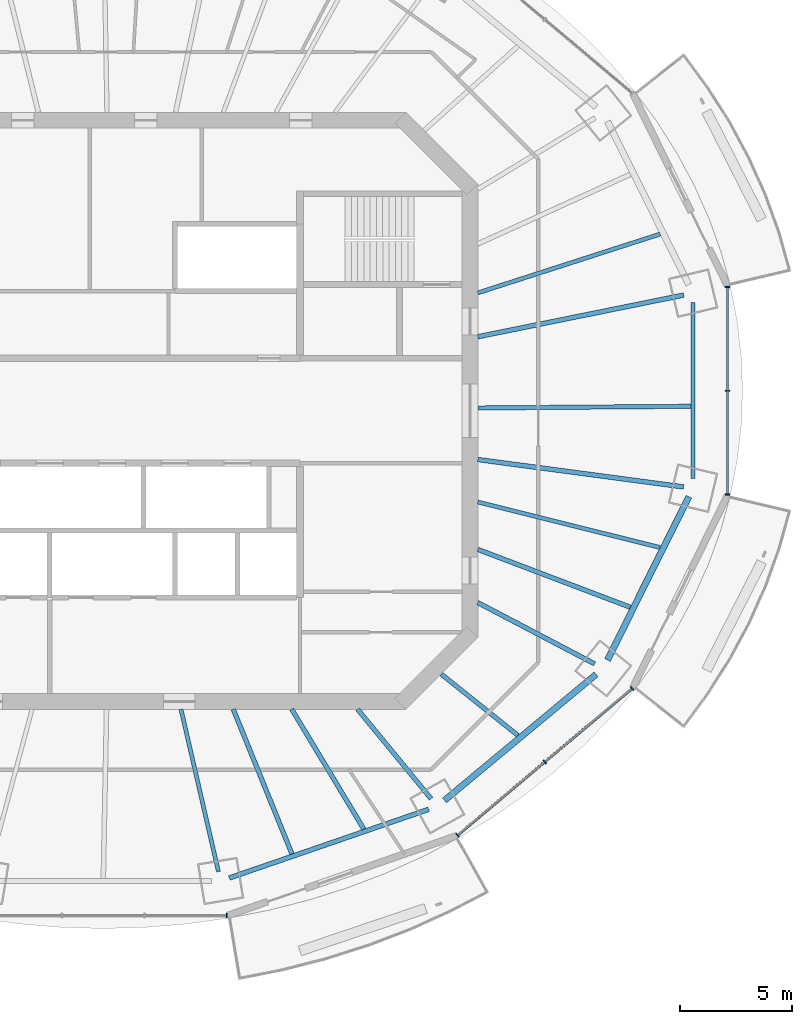
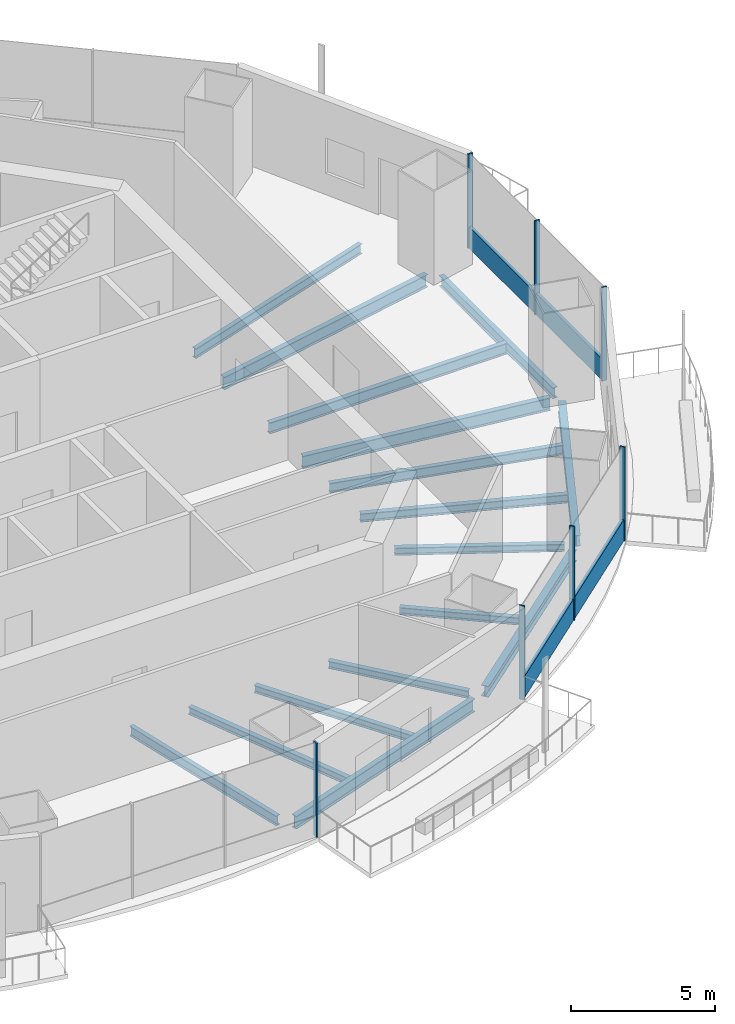
# One storey, part 4 of 16: 16 beams, 9 members, 3 elements without a shape of their own.
"""IFC4 building model written with IfcOpenShell, lengths in metres."""

import ifcopenshell
import ifcopenshell.guid

model = None  # the IFC model being written
_history = None  # IfcOwnerHistory: only IFC2X3 demands one
_inside = {}  # id of a spatial element -> (the spatial element, [elements in it])
_under = {}  # id of a project, library or spatial element -> (it, [spatial elements below it])
_declared = {}  # id of a project -> (the project, [libraries it declares])
_typed = {}  # id of a type object -> (the type object, [elements of that type])
_made_of = {}  # id of a material, layer set ... -> (it, [elements and type objects made of it])


def new_model(schema):
    """Start an empty IFC model of exactly this schema.

    Asked for "IFC4X3", IfcOpenShell would pick the latest addendum, in which some entities
    have other attributes; the version numbers below select the first issue.
    IFC2X3 requires an IfcOwnerHistory on every rooted entity: one is made here for all.
    """
    global model, _history
    if schema == "IFC4X3":
        model = ifcopenshell.file(schema_version=(4, 3, 0, 0))
    else:
        model = ifcopenshell.file(schema=schema)
    _inside.clear()
    _under.clear()
    _declared.clear()
    _typed.clear()
    _made_of.clear()
    _history = None
    if model.schema == "IFC2X3":
        org = make("IfcOrganization", Name="unknown")
        user = make(
            "IfcPersonAndOrganization",
            ThePerson=make("IfcPerson", FamilyName="unknown"),
            TheOrganization=org,
        )
        app = make(
            "IfcApplication",
            ApplicationDeveloper=org,
            Version="unknown",
            ApplicationFullName="unknown",
            ApplicationIdentifier="unknown",
        )
        _history = make(
            "IfcOwnerHistory",
            OwningUser=user,
            OwningApplication=app,
            ChangeAction="ADDED",
            CreationDate=0,
        )
    return model


def make(cls, **values):
    """One entity of the class cls with the attributes given. An attribute that is None is left unset."""
    return model.create_entity(
        cls, **{name: value for name, value in values.items() if value is not None}
    )


def rooted(cls, **values):
    """An entity with a GlobalId (a new one), such as an element, a storey or a relation."""
    return make(cls, GlobalId=ifcopenshell.guid.new(), OwnerHistory=_history, **values)


def si_unit(unit_type, name, prefix=None):
    """IfcSIUnit, for example si_unit("LENGTHUNIT", "METRE", prefix="MILLI")."""
    return make("IfcSIUnit", UnitType=unit_type, Prefix=prefix, Name=name)


def assignment(units):
    """IfcUnitAssignment: the units of a project."""
    return None if units is None else make("IfcUnitAssignment", Units=units)


def point(xyz):
    """IfcCartesianPoint."""
    return None if xyz is None else make("IfcCartesianPoint", Coordinates=xyz)


def direction(xyz):
    """IfcDirection."""
    return None if xyz is None else make("IfcDirection", DirectionRatios=xyz)


def frame(location, z_axis=None, x_axis=None):
    """IfcAxis2Placement3D, a coordinate frame: its origin and axes. An axis left out is left unset."""
    return make(
        "IfcAxis2Placement3D",
        Location=point(location),
        Axis=direction(z_axis),
        RefDirection=direction(x_axis),
    )


def frame_2d(location, x_axis=None):
    """IfcAxis2Placement2D, a coordinate frame in the plane: its origin and x axis."""
    return make(
        "IfcAxis2Placement2D", Location=point(location), RefDirection=direction(x_axis)
    )


def origin():
    """The frame at (0, 0, 0) with its axes left unset."""
    return frame((0.0, 0.0, 0.0))


def origin_2d():
    """The frame at (0, 0) in the plane with its x axis left unset."""
    return frame_2d((0.0, 0.0))


def place(relative_to, where):
    """IfcLocalPlacement: puts the frame where relative to a parent placement (None: the world)."""
    return make(
        "IfcLocalPlacement", PlacementRelTo=relative_to, RelativePlacement=where
    )


def context(
    kind, dimensions, precision=None, world=None, true_north=None, identifier=None
):
    """IfcGeometricRepresentationContext, for example the 3D "Model" context."""
    return make(
        "IfcGeometricRepresentationContext",
        ContextIdentifier=identifier,
        ContextType=kind,
        CoordinateSpaceDimension=dimensions,
        Precision=precision,
        WorldCoordinateSystem=world,
        TrueNorth=true_north,
    )


def subcontext(parent, identifier, kind, view, scale=None):
    """IfcGeometricRepresentationSubContext, for example "Body" below "Model"."""
    return make(
        "IfcGeometricRepresentationSubContext",
        ContextIdentifier=identifier,
        ContextType=kind,
        ParentContext=parent,
        TargetScale=scale,
        TargetView=view,
    )


def project(units=None, contexts=None):
    """IfcProject with its units and contexts."""
    return rooted(
        "IfcProject",
        Name="project",
        RepresentationContexts=contexts,
        UnitsInContext=assignment(units),
    )


def spatial(cls, under=None, at=None, **own):
    """A site, building, storey or space (cls), placed at a placement, below another one or the project."""
    s = rooted(cls, ObjectPlacement=at, **own)
    if under is not None:
        _under.setdefault(under.id(), (under, []))[1].append(s)
    return s


def profile(cls, at=None, kind="AREA", **sizes):
    """A parametric profile (cls). Its sizes go by their IFC names, for example OverallWidth=200.0."""
    return make(cls, ProfileType=kind, Position=at, **sizes)


def rectangle(**sizes):
    """IfcRectangleProfileDef."""
    return profile("IfcRectangleProfileDef", **sizes)


def i_section(**sizes):
    """IfcIShapeProfileDef."""
    return profile("IfcIShapeProfileDef", **sizes)


def extrude(swept, where, along, depth):
    """IfcExtrudedAreaSolid: the profile swept, set in the frame where, extruded along a direction by depth."""
    return make(
        "IfcExtrudedAreaSolid",
        SweptArea=swept,
        Position=where,
        ExtrudedDirection=direction(along),
        Depth=depth,
    )


def shape(context_of_items, identifier, shape_type, items):
    """IfcShapeRepresentation: the items that make up one representation, for example the "Body"."""
    return make(
        "IfcShapeRepresentation",
        ContextOfItems=context_of_items,
        RepresentationIdentifier=identifier,
        RepresentationType=shape_type,
        Items=items,
    )


def material(Name=None, Category=None):
    """IfcMaterial."""
    return make("IfcMaterial", Name=Name, Category=Category)


def material_profile(
    of_material, cross_section, Name=None, Category=None, Priority=None
):
    """IfcMaterialProfile: a cross section and its material."""
    return make(
        "IfcMaterialProfile",
        Name=Name,
        Material=of_material,
        Profile=cross_section,
        Priority=Priority,
        Category=Category,
    )


def profile_set(profiles, Name=None, composite=None):
    """IfcMaterialProfileSet."""
    return make(
        "IfcMaterialProfileSet",
        Name=Name,
        MaterialProfiles=profiles,
        CompositeProfile=composite,
    )


def made_of(thing, what):
    """Note that an element or type object is made of a material, layer set ...; save() writes the relation."""
    if what is not None:
        _made_of.setdefault(what.id(), (what, []))[1].append(thing)
    return thing


def type_object(cls, material=None, **own):
    """A type object (cls), such as IfcWallType, which elements share."""
    return made_of(rooted(cls, **own), material)


def element(
    cls,
    number,
    at=None,
    inside=None,
    cuts=None,
    type_object=None,
    material=None,
    context=None,
    identifier="Body",
    shape_type=None,
    held_by="IfcProductDefinitionShape",
    body=None,
    shapes=None,
    **own,
):
    """One element of the class cls, such as IfcWall. Its Tag is "e" and its number.

    at: its placement. inside: the storey or other place that contains it. cuts: it is an
    opening in that element (IfcRelVoidsElement). A single representation is given by context,
    identifier, shape_type and body (its items); several are given by shapes. held_by: the class
    of the entity that holds the representations. save() writes the other relations.
    """
    e = rooted(cls, Tag="e%d" % number, ObjectPlacement=at, **own)
    if body is not None:
        shapes = [shape(context, identifier, shape_type, body)]
    if shapes is not None:
        e.Representation = make(held_by, Representations=shapes)
    if inside is not None:
        _inside.setdefault(inside.id(), (inside, []))[1].append(e)
    if cuts is not None:
        rooted(
            "IfcRelVoidsElement", RelatingBuildingElement=cuts, RelatedOpeningElement=e
        )
    if type_object is not None:
        _typed.setdefault(type_object.id(), (type_object, []))[1].append(e)
    return made_of(e, material)


def aggregate(whole, parts):
    """IfcRelAggregates: a whole, such as a stair, and the parts it consists of."""
    return rooted("IfcRelAggregates", RelatingObject=whole, RelatedObjects=parts)


def save(model, path):
    """Write the relations noted so far, then the file.

    IfcRelAggregates (storeys below a building ...), IfcRelContainedInSpatialStructure (elements
    in a storey), IfcRelDefinesByType, IfcRelAssociatesMaterial and IfcRelDeclares: one each for
    every whole, place, type object, material and project.
    """
    for whole, parts in _under.values():
        aggregate(whole, parts)
    for where, things in _inside.values():
        rooted(
            "IfcRelContainedInSpatialStructure",
            RelatedElements=things,
            RelatingStructure=where,
        )
    for kind, things in _typed.values():
        rooted("IfcRelDefinesByType", RelatedObjects=things, RelatingType=kind)
    for what, things in _made_of.values():
        rooted("IfcRelAssociatesMaterial", RelatedObjects=things, RelatingMaterial=what)
    for by, libraries in _declared.values():
        rooted("IfcRelDeclares", RelatingContext=by, RelatedDefinitions=libraries)
    model.write(path)


model = new_model("IFC4")

# Units and contexts
model_context = context("Model", 3, precision=1e-05, world=origin(), true_north=direction((0.0, 1.0)))
body_context = subcontext(model_context, "Body", "Model", "MODEL_VIEW")
ifc_project = project(units=[si_unit("LENGTHUNIT", "METRE"), si_unit("AREAUNIT", "SQUARE_METRE"), si_unit("VOLUMEUNIT", "CUBIC_METRE"), si_unit("PLANEANGLEUNIT", "RADIAN"), si_unit("MASSUNIT", "GRAM", prefix="KILO")], contexts=[model_context])

# Site, building, storey
site_placement = place(None, origin())
site = spatial("IfcSite", under=ifc_project, at=site_placement, CompositionType="ELEMENT")
building_placement = place(site_placement, origin())
building = spatial("IfcBuilding", under=site, at=building_placement, Name="Marenthal Gate Tower", CompositionType="ELEMENT")
storey_placement = place(building_placement, frame((0.0, 0.0, 305.25)))
storey = spatial("IfcBuildingStorey", under=building, at=storey_placement, Name="L68", CompositionType="ELEMENT", Elevation=305.25)

# Curtain wall, member
ifc_material_1 = material(Name="Aluminium and glass", Category="aluminium")
curtain_wall_type = type_object("IfcCurtainWallType", Name="Curtain wall typical high", PredefinedType="NOTDEFINED", material=ifc_material_1)
curtain_wall_1_placement = place(storey_placement, origin())
curtain_wall_1 = element("IfcCurtainWall", 1, at=curtain_wall_1_placement, inside=storey, type_object=curtain_wall_type, Name="Curtain wall L68 bay 12", PredefinedType="NOTDEFINED")
ifc_material_2 = material(Name="Aluminium", Category="aluminium")
ifc_material_profile_1 = material_profile(ifc_material_2, rectangle(XDim=0.199951171875, YDim=0.06005859375, at=origin_2d()), Name="60x200 aluminium mullion")
ifc_profile_set_1 = profile_set([ifc_material_profile_1], Name="Aluminium")
member_type_1 = type_object("IfcMemberType", Name="Mullion 60x200 typical high", PredefinedType="MULLION", material=ifc_profile_set_1)
member_1_placement = place(storey_placement, frame((5.12548828125, -22.577880859375, 0.0), z_axis=(0.0, 0.0, 1.0), x_axis=(0.0, 1.0, 0.0)))
member_1 = element("IfcMember", 2, at=member_1_placement, type_object=member_type_1, Name="Mullion L68 bay 12.4", PredefinedType="MULLION", context=body_context, shape_type="SweptSolid", body=[
    extrude(rectangle(XDim=0.199951171875, YDim=0.06005859375, at=origin_2d()), origin(), (0.0, 0.0, 1.0), 3.969970703125),
])
aggregate(curtain_wall_1, [member_1])

# Curtain wall, members
curtain_wall_2_placement = place(storey_placement, origin())
curtain_wall_2 = element("IfcCurtainWall", 3, at=curtain_wall_2_placement, inside=storey, type_object=curtain_wall_type, Name="Curtain wall L68 bay 14", PredefinedType="NOTDEFINED")
member_2_placement = place(storey_placement, frame((15.443359375, -18.984375, 0.0), z_axis=(0.0, 0.0, 1.0), x_axis=(-0.643479945432, 0.765462970905, 0.0)))
member_2 = element("IfcMember", 4, at=member_2_placement, type_object=member_type_1, Name="Mullion L68 bay 14.1", PredefinedType="MULLION", context=body_context, shape_type="SweptSolid", body=[
    extrude(rectangle(XDim=0.199951171875, YDim=0.06005859375, at=origin_2d()), origin(), (0.0, 0.0, 1.0), 3.969970703125),
])
member_3_placement = place(storey_placement, frame((19.3486328125, -15.701416015625, 0.0), z_axis=(0.0, 0.0, 1.0), x_axis=(-0.643479945432, 0.765462970905, 0.0)))
member_3 = element("IfcMember", 5, at=member_3_placement, type_object=member_type_1, Name="Mullion L68 bay 14.2", PredefinedType="MULLION", context=body_context, shape_type="SweptSolid", body=[
    extrude(rectangle(XDim=0.199951171875, YDim=0.06005859375, at=origin_2d()), origin(), (0.0, 0.0, 1.0), 3.969970703125),
])
member_4_placement = place(storey_placement, frame((23.25390625, -12.41845703125, 0.0), z_axis=(0.0, 0.0, 1.0), x_axis=(-0.643479945432, 0.765462970905, 0.0)))
member_4 = element("IfcMember", 6, at=member_4_placement, type_object=member_type_1, Name="Mullion L68 bay 14.3", PredefinedType="MULLION", context=body_context, shape_type="SweptSolid", body=[
    extrude(rectangle(XDim=0.199951171875, YDim=0.06005859375, at=origin_2d()), origin(), (0.0, 0.0, 1.0), 3.969970703125),
])

curtain_wall_3_placement = place(storey_placement, origin())
curtain_wall_3 = element("IfcCurtainWall", 7, at=curtain_wall_3_placement, inside=storey, type_object=curtain_wall_type, Name="Curtain wall L68 bay 16", PredefinedType="NOTDEFINED")
member_5_placement = place(storey_placement, frame((27.52880859375, -3.739990234375, 0.0), z_axis=(0.0, 0.0, 1.0), x_axis=(-1.0, 0.0, 0.0)))
member_5 = element("IfcMember", 8, at=member_5_placement, type_object=member_type_1, Name="Mullion L68 bay 16.1", PredefinedType="MULLION", context=body_context, shape_type="SweptSolid", body=[
    extrude(rectangle(XDim=0.199951171875, YDim=0.06005859375, at=origin_2d()), origin(), (0.0, 0.0, 1.0), 3.969970703125),
])
member_6_placement = place(storey_placement, frame((27.52880859375, 0.89990234375, 0.0), z_axis=(0.0, 0.0, 1.0), x_axis=(-1.0, 0.0, 0.0)))
member_6 = element("IfcMember", 9, at=member_6_placement, type_object=member_type_1, Name="Mullion L68 bay 16.2", PredefinedType="MULLION", context=body_context, shape_type="SweptSolid", body=[
    extrude(rectangle(XDim=0.199951171875, YDim=0.06005859375, at=origin_2d()), origin(), (0.0, 0.0, 1.0), 3.969970703125),
])
member_7_placement = place(storey_placement, frame((27.52880859375, 5.5400390625, 0.0), z_axis=(0.0, 0.0, 1.0), x_axis=(-1.0, 0.0, 0.0)))
member_7 = element("IfcMember", 10, at=member_7_placement, type_object=member_type_1, Name="Mullion L68 bay 16.3", PredefinedType="MULLION", context=body_context, shape_type="SweptSolid", body=[
    extrude(rectangle(XDim=0.199951171875, YDim=0.06005859375, at=origin_2d()), origin(), (0.0, 0.0, 1.0), 3.969970703125),
])

# Member
ifc_material_3 = material(Name="Aluminium", Category="aluminium")
ifc_material_profile_2 = material_profile(ifc_material_3, rectangle(XDim=0.1201171875, YDim=0.89990234375, at=origin_2d()), Name="120x900 aluminium transom")
ifc_profile_set_2 = profile_set([ifc_material_profile_2], Name="Aluminium")
member_type_2 = type_object("IfcMemberType", Name="Transom 120x900 typical high", PredefinedType="USERDEFINED", material=ifc_profile_set_2)
member_8_placement = place(storey_placement, frame((15.46630859375, -18.965087890625, 0.449951171875), z_axis=(0.765460155219, 0.643483294866, 0.0), x_axis=(-0.643483294866, 0.765460155219, 0.0)))
member_8 = element("IfcMember", 11, at=member_8_placement, type_object=member_type_2, Name="Transom L68 bay 14", ObjectType="TRANSOM", PredefinedType="USERDEFINED", context=body_context, shape_type="SweptSolid", body=[
    extrude(rectangle(XDim=0.1201171875, YDim=0.89990234375, at=origin_2d()), origin(), (0.0, 0.0, 1.0), 10.143798828125),
])

aggregate(curtain_wall_2, [member_2, member_3, member_4, member_8])

member_9_placement = place(storey_placement, frame((27.52880859375, -3.710205078125, 0.449951171875), z_axis=(0.0, 1.0, 0.0), x_axis=(-1.0, 0.0, 0.0)))
member_9 = element("IfcMember", 12, at=member_9_placement, type_object=member_type_2, Name="Transom L68 bay 16", ObjectType="TRANSOM", PredefinedType="USERDEFINED", context=body_context, shape_type="SweptSolid", body=[
    extrude(rectangle(XDim=0.1201171875, YDim=0.89990234375, at=origin_2d()), origin(), (0.0, 0.0, 1.0), 9.22021484375),
])

aggregate(curtain_wall_3, [member_5, member_6, member_7, member_9])

# Beams
ifc_material_4 = material(Name="Steel S355", Category="steel")
ifc_material_profile_3 = material_profile(ifc_material_4, i_section(OverallWidth=0.202880859375, OverallDepth=0.302001953125, WebThickness=0.007568359375, FlangeThickness=0.01318359375, FilletRadius=0.0126953125, at=origin_2d()), Name="W310X60")
ifc_profile_set_3 = profile_set([ifc_material_profile_3], Name="Steel S355")
beam_type_1 = type_object("IfcBeamType", Name="W310X60 beam", PredefinedType="BEAM", material=ifc_profile_set_3)
beam_1_placement = place(storey_placement, frame((18.1416015625, -14.5166015625, -0.3310546875), z_axis=(-0.780798186139, 0.624783316456, 0.0), x_axis=(-0.624783316456, -0.780798186139, 0.0)))
element("IfcBeam", 13, at=beam_1_placement, inside=storey, type_object=beam_type_1, Name="BM-L68-37", PredefinedType="BEAM", context=body_context, shape_type="SweptSolid", body=[
    extrude(i_section(OverallWidth=0.202880859375, OverallDepth=0.302001953125, WebThickness=0.007568359375, FlangeThickness=0.01318359375, FilletRadius=0.0126953125, at=origin_2d()), origin(), (0.0, 0.0, 1.0), 4.384765625),
])
ifc_material_5 = material(Name="Steel S355", Category="steel")
ifc_material_profile_4 = material_profile(ifc_material_5, i_section(OverallWidth=0.205078125, OverallDepth=0.31005859375, WebThickness=0.009521484375, FlangeThickness=0.016357421875, FilletRadius=0.0126953125, at=origin_2d()), Name="W310X74")
ifc_profile_set_4 = profile_set([ifc_material_profile_4], Name="Steel S355")
beam_type_2 = type_object("IfcBeamType", Name="W310X74 beam", PredefinedType="BEAM", material=ifc_profile_set_4)
beam_2_placement = place(storey_placement, frame((14.262939453125, -17.349853515625, -0.3349609375), z_axis=(-0.635036003513, 0.772482539765, 0.0), x_axis=(-0.772482539765, -0.635036003513, 0.0)))
element("IfcBeam", 14, at=beam_2_placement, inside=storey, type_object=beam_type_2, Name="BM-L68-14", PredefinedType="BEAM", context=body_context, shape_type="SweptSolid", body=[
    extrude(i_section(OverallWidth=0.205078125, OverallDepth=0.31005859375, WebThickness=0.009521484375, FlangeThickness=0.016357421875, FilletRadius=0.0126953125, at=origin_2d()), origin(), (0.0, 0.0, 1.0), 5.177734375),
])
beam_3_placement = place(storey_placement, frame((21.5712890625, -11.31591796875, -0.3349609375), z_axis=(-0.885545270572, 0.464553090365, 0.0), x_axis=(-0.464553090365, -0.885545270572, 0.0)))
element("IfcBeam", 15, at=beam_3_placement, inside=storey, type_object=beam_type_2, Name="BM-L68-15", PredefinedType="BEAM", context=body_context, shape_type="SweptSolid", body=[
    extrude(i_section(OverallWidth=0.205078125, OverallDepth=0.31005859375, WebThickness=0.009521484375, FlangeThickness=0.016357421875, FilletRadius=0.0126953125, at=origin_2d()), origin(), (0.0, 0.0, 1.0), 5.89599609375),
])
beam_4_placement = place(storey_placement, frame((8.0390625, -19.817138671875, -0.3349609375), z_axis=(-0.375921906539, 0.926651347694, 0.0), x_axis=(-0.926651347694, -0.375921906539, 0.0)))
element("IfcBeam", 16, at=beam_4_placement, inside=storey, type_object=beam_type_2, Name="BM-L68-35", PredefinedType="BEAM", context=body_context, shape_type="SweptSolid", body=[
    extrude(i_section(OverallWidth=0.205078125, OverallDepth=0.31005859375, WebThickness=0.009521484375, FlangeThickness=0.016357421875, FilletRadius=0.0126953125, at=origin_2d()), origin(), (0.0, 0.0, 1.0), 6.97900390625),
])
beam_5_placement = place(storey_placement, frame((11.2548828125, -18.7099609375, -0.3349609375), z_axis=(-0.515459756006, 0.856913787926, 0.0), x_axis=(-0.856913787926, -0.515459756006, 0.0)))
element("IfcBeam", 17, at=beam_5_placement, inside=storey, type_object=beam_type_2, Name="BM-L68-36", PredefinedType="BEAM", context=body_context, shape_type="SweptSolid", body=[
    extrude(i_section(OverallWidth=0.205078125, OverallDepth=0.31005859375, WebThickness=0.009521484375, FlangeThickness=0.016357421875, FilletRadius=0.0126953125, at=origin_2d()), origin(), (0.0, 0.0, 1.0), 6.2548828125),
])
ifc_material_6 = material(Name="Steel S355", Category="steel")
ifc_material_profile_5 = material_profile(ifc_material_6, i_section(OverallWidth=0.205078125, OverallDepth=0.35302734375, WebThickness=0.009521484375, FlangeThickness=0.016845703125, FilletRadius=0.014892578125, at=origin_2d()), Name="W360X79")
ifc_profile_set_5 = profile_set([ifc_material_profile_5], Name="Steel S355")
beam_type_3 = type_object("IfcBeamType", Name="W360X79 beam", PredefinedType="BEAM", material=ifc_profile_set_5)
beam_6_placement = place(storey_placement, frame((23.170654296875, -8.78515625, -0.3564453125), z_axis=(-0.935050712882, 0.354513983278, 0.0), x_axis=(-0.354513983278, -0.935050712882, 0.0)))
element("IfcBeam", 18, at=beam_6_placement, inside=storey, type_object=beam_type_3, Name="BM-L68-38", PredefinedType="BEAM", context=body_context, shape_type="SweptSolid", body=[
    extrude(i_section(OverallWidth=0.205078125, OverallDepth=0.35302734375, WebThickness=0.009521484375, FlangeThickness=0.016845703125, FilletRadius=0.014892578125, at=origin_2d()), origin(), (0.0, 0.0, 1.0), 7.29443359375),
])
ifc_material_7 = material(Name="Steel S355", Category="steel")
ifc_material_profile_6 = material_profile(ifc_material_7, i_section(OverallWidth=0.180908203125, OverallDepth=0.4169921875, WebThickness=0.010986328125, FlangeThickness=0.018310546875, FilletRadius=0.01025390625, at=origin_2d()), Name="W410X85")
ifc_profile_set_6 = profile_set([ifc_material_profile_6], Name="Steel S355")
beam_type_4 = type_object("IfcBeamType", Name="W410X85 beam", PredefinedType="BEAM", material=ifc_profile_set_6)
beam_7_placement = place(storey_placement, frame((4.751220703125, -20.612548828125, -0.388427734375), z_axis=(-0.224620257537, 0.974446376105, 0.0), x_axis=(-0.974446376105, -0.224620257537, 0.0)))
element("IfcBeam", 19, at=beam_7_placement, inside=storey, type_object=beam_type_4, Name="BM-L68-13", PredefinedType="BEAM", context=body_context, shape_type="SweptSolid", body=[
    extrude(i_section(OverallWidth=0.180908203125, OverallDepth=0.4169921875, WebThickness=0.010986328125, FlangeThickness=0.018310546875, FilletRadius=0.01025390625, at=origin_2d()), origin(), (0.0, 0.0, 1.0), 7.452880859375),
])
beam_8_placement = place(storey_placement, frame((24.506103515625, 7.905029296875, -0.388427734375), z_axis=(-0.951704053105, -0.307016929994, 0.0), x_axis=(0.307016929994, -0.951704053105, 0.0)))
element("IfcBeam", 20, at=beam_8_placement, inside=storey, type_object=beam_type_4, Name="BM-L68-17", PredefinedType="BEAM", context=body_context, shape_type="SweptSolid", body=[
    extrude(i_section(OverallWidth=0.180908203125, OverallDepth=0.4169921875, WebThickness=0.010986328125, FlangeThickness=0.018310546875, FilletRadius=0.01025390625, at=origin_2d()), origin(), (0.0, 0.0, 1.0), 8.56982421875),
])
beam_9_placement = place(storey_placement, frame((24.501953125, -6.11376953125, -0.388427734375), z_axis=(-0.97024838396, 0.242111696171, 0.0), x_axis=(-0.242111696171, -0.97024838396, 0.0)))
element("IfcBeam", 21, at=beam_9_placement, inside=storey, type_object=beam_type_4, Name="BM-L68-39", PredefinedType="BEAM", context=body_context, shape_type="SweptSolid", body=[
    extrude(i_section(OverallWidth=0.180908203125, OverallDepth=0.4169921875, WebThickness=0.010986328125, FlangeThickness=0.018310546875, FilletRadius=0.01025390625, at=origin_2d()), origin(), (0.0, 0.0, 1.0), 8.40185546875),
])
ifc_material_8 = material(Name="Steel S355", Category="steel")
ifc_material_profile_7 = material_profile(ifc_material_8, i_section(OverallWidth=0.279052734375, OverallDepth=0.4619140625, WebThickness=0.0107421875, FlangeThickness=0.017333984375, FilletRadius=0.010009765625, at=origin_2d()), Name="W460X113")
ifc_profile_set_7 = profile_set([ifc_material_profile_7], Name="Steel S355")
beam_type_5 = type_object("IfcBeamType", Name="W460X113 beam", PredefinedType="BEAM", material=ifc_profile_set_7)
beam_10_placement = place(storey_placement, frame((14.8623046875, -17.424072265625, -0.410888671875), z_axis=(0.769010658492, 0.639235955752, 0.0), x_axis=(-0.639235955752, 0.769010658492, 0.0)))
element("IfcBeam", 22, at=beam_10_placement, inside=storey, type_object=beam_type_5, Name="BM-L68-54", PredefinedType="BEAM", context=body_context, shape_type="SweptSolid", body=[
    extrude(i_section(OverallWidth=0.279052734375, OverallDepth=0.4619140625, WebThickness=0.0107421875, FlangeThickness=0.017333984375, FilletRadius=0.010009765625, at=origin_2d()), origin(), (0.0, 0.0, 1.0), 8.815673828125),
])
beam_11_placement = place(storey_placement, frame((22.15087890625, -11.144287109375, -0.410888671875), z_axis=(0.446016397949, 0.895024788908, 0.0), x_axis=(-0.895024788908, 0.446016397949, 0.0)))
element("IfcBeam", 23, at=beam_11_placement, inside=storey, type_object=beam_type_5, Name="BM-L68-55", PredefinedType="BEAM", context=body_context, shape_type="SweptSolid", body=[
    extrude(i_section(OverallWidth=0.279052734375, OverallDepth=0.4619140625, WebThickness=0.0107421875, FlangeThickness=0.017333984375, FilletRadius=0.010009765625, at=origin_2d()), origin(), (0.0, 0.0, 1.0), 8.159912109375),
])
ifc_material_9 = material(Name="Steel S355", Category="steel")
ifc_material_profile_8 = material_profile(ifc_material_9, i_section(OverallWidth=0.19091796875, OverallDepth=0.45703125, WebThickness=0.009033203125, FlangeThickness=0.014404296875, FilletRadius=0.01025390625, at=origin_2d()), Name="W460X74")
ifc_profile_set_8 = profile_set([ifc_material_profile_8], Name="Steel S355")
beam_type_6 = type_object("IfcBeamType", Name="W460X74 beam", PredefinedType="BEAM", material=ifc_profile_set_8)
beam_12_placement = place(storey_placement, frame((25.979248046875, -3.036376953125, -0.408447265625), z_axis=(0.0, 1.0, 0.0), x_axis=(-1.0, 0.0, 0.0)))
element("IfcBeam", 24, at=beam_12_placement, inside=storey, type_object=beam_type_6, Name="BM-L68-56", PredefinedType="BEAM", context=body_context, shape_type="SweptSolid", body=[
    extrude(i_section(OverallWidth=0.19091796875, OverallDepth=0.45703125, WebThickness=0.009033203125, FlangeThickness=0.014404296875, FilletRadius=0.01025390625, at=origin_2d()), origin(), (0.0, 0.0, 1.0), 7.872802734375),
])
ifc_material_10 = material(Name="Steel S355", Category="steel")
ifc_material_profile_9 = material_profile(ifc_material_10, i_section(OverallWidth=0.193115234375, OverallDepth=0.467041015625, WebThickness=0.011474609375, FlangeThickness=0.01904296875, FilletRadius=0.010009765625, at=origin_2d()), Name="W460X97")
ifc_profile_set_9 = profile_set([ifc_material_profile_9], Name="Steel S355")
beam_type_7 = type_object("IfcBeamType", Name="W460X97 beam", PredefinedType="BEAM", material=ifc_profile_set_9)
beam_13_placement = place(storey_placement, frame((25.8837890625, 0.201416015625, -0.41357421875), z_axis=(-0.999969699112, -0.007784655276, 0.0), x_axis=(0.007784655276, -0.999969699112, 0.0)))
element("IfcBeam", 25, at=beam_13_placement, inside=storey, type_object=beam_type_7, Name="BM-L68-40", PredefinedType="BEAM", context=body_context, shape_type="SweptSolid", body=[
    extrude(i_section(OverallWidth=0.193115234375, OverallDepth=0.467041015625, WebThickness=0.011474609375, FlangeThickness=0.01904296875, FilletRadius=0.010009765625, at=origin_2d()), origin(), (0.0, 0.0, 1.0), 9.533935546875),
])
ifc_material_11 = material(Name="Steel S355", Category="steel")
ifc_material_profile_10 = material_profile(ifc_material_11, i_section(OverallWidth=0.2099609375, OverallDepth=0.535888671875, WebThickness=0.010986328125, FlangeThickness=0.017333984375, FilletRadius=0.0126953125, at=origin_2d()), Name="W530X101")
ifc_profile_set_10 = profile_set([ifc_material_profile_10], Name="Steel S355")
beam_type_8 = type_object("IfcBeamType", Name="W530X101 beam", PredefinedType="BEAM", material=ifc_profile_set_10)
beam_14_placement = place(storey_placement, frame((25.562255859375, 5.17724609375, -0.447998046875), z_axis=(-0.980101246087, -0.198498230265, 0.0), x_axis=(0.198498230265, -0.980101246087, 0.0)))
element("IfcBeam", 26, at=beam_14_placement, inside=storey, type_object=beam_type_8, Name="BM-L68-01", PredefinedType="BEAM", context=body_context, shape_type="SweptSolid", body=[
    extrude(i_section(OverallWidth=0.2099609375, OverallDepth=0.535888671875, WebThickness=0.010986328125, FlangeThickness=0.017333984375, FilletRadius=0.0126953125, at=origin_2d()), origin(), (0.0, 0.0, 1.0), 9.399169921875),
])
beam_15_placement = place(storey_placement, frame((25.552978515625, -3.405029296875, -0.447998046875), z_axis=(-0.991238232434, 0.132086208821, 0.0), x_axis=(-0.132086208821, -0.991238232434, 0.0)))
element("IfcBeam", 27, at=beam_15_placement, inside=storey, type_object=beam_type_8, Name="BM-L68-16", PredefinedType="BEAM", context=body_context, shape_type="SweptSolid", body=[
    extrude(i_section(OverallWidth=0.2099609375, OverallDepth=0.535888671875, WebThickness=0.010986328125, FlangeThickness=0.017333984375, FilletRadius=0.0126953125, at=origin_2d()), origin(), (0.0, 0.0, 1.0), 9.2841796875),
])
ifc_material_12 = material(Name="Steel S355", Category="steel")
ifc_material_profile_11 = material_profile(ifc_material_12, i_section(OverallWidth=0.2119140625, OverallDepth=0.5439453125, WebThickness=0.01318359375, FlangeThickness=0.021240234375, FilletRadius=0.0126953125, at=origin_2d()), Name="W530X123")
ifc_profile_set_11 = profile_set([ifc_material_profile_11], Name="Steel S355")
beam_type_9 = type_object("IfcBeamType", Name="W530X123 beam", PredefinedType="BEAM", material=ifc_profile_set_11)
beam_16_placement = place(storey_placement, frame((5.2373046875, -20.89404296875, -0.451904296875), z_axis=(0.945516546664, 0.325574046853, 0.0), x_axis=(-0.325574046853, 0.945516546664, 0.0)))
element("IfcBeam", 28, at=beam_16_placement, inside=storey, type_object=beam_type_9, Name="BM-L68-53", PredefinedType="BEAM", context=body_context, shape_type="SweptSolid", body=[
    extrude(i_section(OverallWidth=0.2119140625, OverallDepth=0.5439453125, WebThickness=0.01318359375, FlangeThickness=0.021240234375, FilletRadius=0.0126953125, at=origin_2d()), origin(), (0.0, 0.0, 1.0), 9.427490234375),
])

save(model, "model.ifc")
